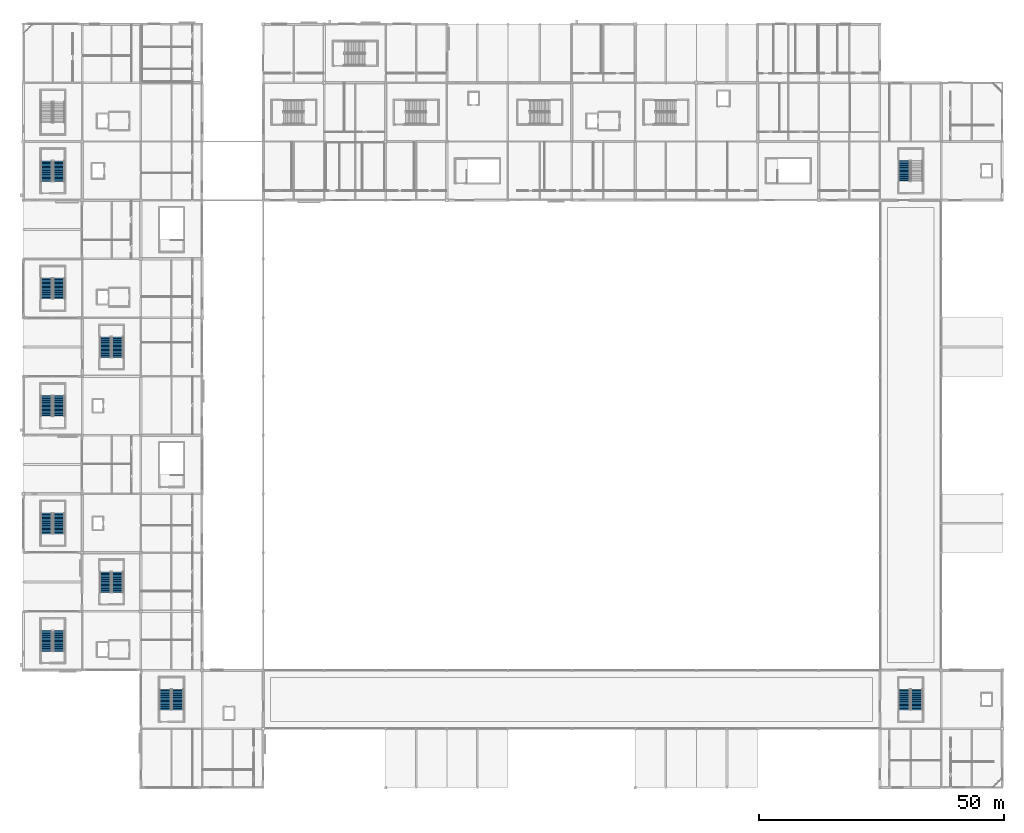
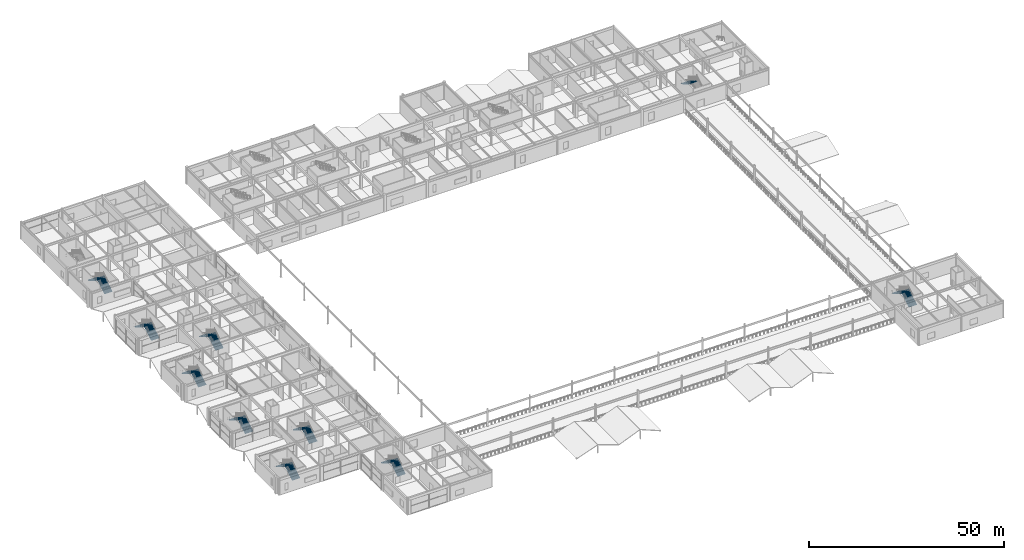
# One storey, part 85 of 105: 19 stair flights, 10 elements without a shape of their own.
"""IFC4 building model written with IfcOpenShell, lengths in metres."""

from ifc_helpers import new_model, si_unit, direction, frame, origin, place, context, subcontext, project, spatial, polyline, outline, extrude, material, type_object, element, aggregate, save


model = new_model("IFC4")

# Units and contexts
model_context = context("Model", 3, precision=1e-05, world=origin(), true_north=direction((0.0, 1.0)))
body_context = subcontext(model_context, "Body", "Model", "MODEL_VIEW")
ifc_project = project(units=[si_unit("LENGTHUNIT", "METRE"), si_unit("AREAUNIT", "SQUARE_METRE"), si_unit("VOLUMEUNIT", "CUBIC_METRE"), si_unit("PLANEANGLEUNIT", "RADIAN"), si_unit("MASSUNIT", "GRAM", prefix="KILO")], contexts=[model_context])

# Site, building, storey
site_placement = place(None, origin())
site = spatial("IfcSite", under=ifc_project, at=site_placement, CompositionType="ELEMENT")
building_placement = place(site_placement, origin())
building = spatial("IfcBuilding", under=site, at=building_placement, Name="Kazenohara Klinker Stadium", CompositionType="ELEMENT")
storey_placement = place(building_placement, frame((0.0, 0.0, 20.39990234375)))
storey = spatial("IfcBuildingStorey", under=building, at=storey_placement, Name="L04", CompositionType="ELEMENT", Elevation=20.39990234375)

# Stair, stair flights
ifc_material = material(Name="Concrete C40/50", Category="concrete")
stair_type_1 = type_object("IfcStairType", Name="STR-DL-2300", PredefinedType="HALF_TURN_STAIR", material=ifc_material)
stair_1_placement = place(storey_placement, origin())
stair_1 = element("IfcStair", 1, at=stair_1_placement, inside=storey, type_object=stair_type_1, Name="L04 Enclosed escape stair ST01", PredefinedType="HALF_TURN_STAIR")
stair_flight_type_1 = type_object("IfcStairFlightType", Name="FLT-DL-2300-5400", PredefinedType="STRAIGHT", material=ifc_material)
stair_flight_1_placement = place(storey_placement, frame((7.25, 39.840087890625, 0.0), z_axis=(0.0, 0.0, 1.0), x_axis=(0.0, 1.0, 0.0)))
stair_flight_1 = element("IfcStairFlight", 2, at=stair_flight_1_placement, type_object=stair_flight_type_1, Name="ST01 flight 1", NumberOfRisers=16, NumberOfTreads=15, PredefinedType="STRAIGHT", RiserHeight=0.16875, TreadLength=0.28, context=body_context, shape_type="SweptSolid", body=[
    extrude(outline(polyline([(0.0, 0.0), (0.0, 0.168701171875), (0.280029296875, 0.168701171875), (0.280029296875, 0.33740234375), (0.56005859375, 0.33740234375), (0.56005859375, 0.50634765625), (0.840087890625, 0.50634765625), (0.840087890625, 0.675048828125), (1.1201171875, 0.675048828125), (1.1201171875, 0.84375), (1.39990234375, 0.84375), (1.39990234375, 1.012451171875), (1.679931640625, 1.012451171875), (1.679931640625, 1.18115234375), (1.9599609375, 1.18115234375), (1.9599609375, 1.35009765625), (2.239990234375, 1.35009765625), (2.239990234375, 1.518798828125), (2.52001953125, 1.518798828125), (2.52001953125, 1.6875), (2.800048828125, 1.6875), (2.800048828125, 1.856201171875), (3.080078125, 1.856201171875), (3.080078125, 2.02490234375), (3.360107421875, 2.02490234375), (3.360107421875, 2.19384765625), (3.639892578125, 2.19384765625), (3.639892578125, 2.362548828125), (3.919921875, 2.362548828125), (3.919921875, 2.53125), (4.199951171875, 2.53125), (4.199951171875, 2.699951171875), (4.199951171875, 2.356201171875), (0.29052734375, 0.0), (0.0, 0.0)])), frame((0.0, 1.14990234375, 0.0), z_axis=(0.0, -1.0, 0.0), x_axis=(1.0, 0.0, 0.0)), (0.0, 0.0, 1.0), 2.300048828125),
])
stair_flight_2_placement = place(storey_placement, frame((4.75, 44.0400390625, 2.7001953125), z_axis=(0.0, 0.0, 1.0), x_axis=(0.0, -1.0, 0.0)))
stair_flight_2 = element("IfcStairFlight", 3, at=stair_flight_2_placement, type_object=stair_flight_type_1, Name="ST01 flight 2", NumberOfRisers=16, NumberOfTreads=15, PredefinedType="STRAIGHT", RiserHeight=0.16875, TreadLength=0.28, context=body_context, shape_type="SweptSolid", body=[
    extrude(outline(polyline([(0.0, 0.0), (0.0, 0.168701171875), (0.280029296875, 0.168701171875), (0.280029296875, 0.33740234375), (0.56005859375, 0.33740234375), (0.56005859375, 0.50634765625), (0.840087890625, 0.50634765625), (0.840087890625, 0.675048828125), (1.1201171875, 0.675048828125), (1.1201171875, 0.84375), (1.39990234375, 0.84375), (1.39990234375, 1.012451171875), (1.679931640625, 1.012451171875), (1.679931640625, 1.18115234375), (1.9599609375, 1.18115234375), (1.9599609375, 1.35009765625), (2.239990234375, 1.35009765625), (2.239990234375, 1.518798828125), (2.52001953125, 1.518798828125), (2.52001953125, 1.6875), (2.800048828125, 1.6875), (2.800048828125, 1.856201171875), (3.080078125, 1.856201171875), (3.080078125, 2.02490234375), (3.360107421875, 2.02490234375), (3.360107421875, 2.19384765625), (3.639892578125, 2.19384765625), (3.639892578125, 2.362548828125), (3.919921875, 2.362548828125), (3.919921875, 2.53125), (4.199951171875, 2.53125), (4.199951171875, 2.699951171875), (4.199951171875, 2.356201171875), (0.29052734375, 0.0), (0.0, 0.0)])), frame((0.0, 1.14990234375, 0.0), z_axis=(0.0, -1.0, 0.0), x_axis=(1.0, 0.0, 0.0)), (0.0, 0.0, 1.0), 2.300048828125),
])
aggregate(stair_1, [stair_flight_1, stair_flight_2])

stair_2_placement = place(storey_placement, origin())
stair_2 = element("IfcStair", 4, at=stair_2_placement, inside=storey, type_object=stair_type_1, Name="L04 Enclosed escape stair ST05", PredefinedType="HALF_TURN_STAIR")
stair_flight_3_placement = place(storey_placement, frame((7.25, 135.840087890625, 0.0), z_axis=(0.0, 0.0, 1.0), x_axis=(0.0, 1.0, 0.0)))
stair_flight_3 = element("IfcStairFlight", 5, at=stair_flight_3_placement, type_object=stair_flight_type_1, Name="ST05 flight 1", NumberOfRisers=16, NumberOfTreads=15, PredefinedType="STRAIGHT", RiserHeight=0.16875, TreadLength=0.28, context=body_context, shape_type="SweptSolid", body=[
    extrude(outline(polyline([(0.0, 0.0), (0.0, 0.168701171875), (0.280029296875, 0.168701171875), (0.280029296875, 0.33740234375), (0.56005859375, 0.33740234375), (0.56005859375, 0.50634765625), (0.840087890625, 0.50634765625), (0.840087890625, 0.675048828125), (1.1201171875, 0.675048828125), (1.1201171875, 0.84375), (1.39990234375, 0.84375), (1.39990234375, 1.012451171875), (1.679931640625, 1.012451171875), (1.679931640625, 1.18115234375), (1.9599609375, 1.18115234375), (1.9599609375, 1.35009765625), (2.239990234375, 1.35009765625), (2.239990234375, 1.518798828125), (2.52001953125, 1.518798828125), (2.52001953125, 1.6875), (2.800048828125, 1.6875), (2.800048828125, 1.856201171875), (3.080078125, 1.856201171875), (3.080078125, 2.02490234375), (3.360107421875, 2.02490234375), (3.360107421875, 2.19384765625), (3.639892578125, 2.19384765625), (3.639892578125, 2.362548828125), (3.919921875, 2.362548828125), (3.919921875, 2.53125), (4.199951171875, 2.53125), (4.199951171875, 2.699951171875), (4.199951171875, 2.356201171875), (0.29052734375, 0.0), (0.0, 0.0)])), frame((0.0, 1.14990234375, 0.0), z_axis=(0.0, -1.0, 0.0), x_axis=(1.0, 0.0, 0.0)), (0.0, 0.0, 1.0), 2.300048828125),
])
stair_flight_4_placement = place(storey_placement, frame((4.75, 140.0400390625, 2.7001953125), z_axis=(0.0, 0.0, 1.0), x_axis=(0.0, -1.0, 0.0)))
stair_flight_4 = element("IfcStairFlight", 6, at=stair_flight_4_placement, type_object=stair_flight_type_1, Name="ST05 flight 2", NumberOfRisers=16, NumberOfTreads=15, PredefinedType="STRAIGHT", RiserHeight=0.16875, TreadLength=0.28, context=body_context, shape_type="SweptSolid", body=[
    extrude(outline(polyline([(0.0, 0.0), (0.0, 0.168701171875), (0.280029296875, 0.168701171875), (0.280029296875, 0.33740234375), (0.56005859375, 0.33740234375), (0.56005859375, 0.50634765625), (0.840087890625, 0.50634765625), (0.840087890625, 0.675048828125), (1.1201171875, 0.675048828125), (1.1201171875, 0.84375), (1.39990234375, 0.84375), (1.39990234375, 1.012451171875), (1.679931640625, 1.012451171875), (1.679931640625, 1.18115234375), (1.9599609375, 1.18115234375), (1.9599609375, 1.35009765625), (2.239990234375, 1.35009765625), (2.239990234375, 1.518798828125), (2.52001953125, 1.518798828125), (2.52001953125, 1.6875), (2.800048828125, 1.6875), (2.800048828125, 1.856201171875), (3.080078125, 1.856201171875), (3.080078125, 2.02490234375), (3.360107421875, 2.02490234375), (3.360107421875, 2.19384765625), (3.639892578125, 2.19384765625), (3.639892578125, 2.362548828125), (3.919921875, 2.362548828125), (3.919921875, 2.53125), (4.199951171875, 2.53125), (4.199951171875, 2.699951171875), (4.199951171875, 2.356201171875), (0.29052734375, 0.0), (0.0, 0.0)])), frame((0.0, 1.14990234375, 0.0), z_axis=(0.0, -1.0, 0.0), x_axis=(1.0, 0.0, 0.0)), (0.0, 0.0, 1.0), 2.300048828125),
])
aggregate(stair_2, [stair_flight_3, stair_flight_4])

stair_3_placement = place(storey_placement, origin())
stair_3 = element("IfcStair", 7, at=stair_3_placement, inside=storey, type_object=stair_type_1, Name="L04 Enclosed escape stair ST13", PredefinedType="HALF_TURN_STAIR")
stair_flight_5_placement = place(storey_placement, frame((19.25, 51.840087890625, 0.0), z_axis=(0.0, 0.0, 1.0), x_axis=(0.0, 1.0, 0.0)))
stair_flight_5 = element("IfcStairFlight", 8, at=stair_flight_5_placement, type_object=stair_flight_type_1, Name="ST13 flight 1", NumberOfRisers=16, NumberOfTreads=15, PredefinedType="STRAIGHT", RiserHeight=0.16875, TreadLength=0.28, context=body_context, shape_type="SweptSolid", body=[
    extrude(outline(polyline([(0.0, 0.0), (0.0, 0.168701171875), (0.280029296875, 0.168701171875), (0.280029296875, 0.33740234375), (0.56005859375, 0.33740234375), (0.56005859375, 0.50634765625), (0.840087890625, 0.50634765625), (0.840087890625, 0.675048828125), (1.1201171875, 0.675048828125), (1.1201171875, 0.84375), (1.39990234375, 0.84375), (1.39990234375, 1.012451171875), (1.679931640625, 1.012451171875), (1.679931640625, 1.18115234375), (1.9599609375, 1.18115234375), (1.9599609375, 1.35009765625), (2.239990234375, 1.35009765625), (2.239990234375, 1.518798828125), (2.52001953125, 1.518798828125), (2.52001953125, 1.6875), (2.800048828125, 1.6875), (2.800048828125, 1.856201171875), (3.080078125, 1.856201171875), (3.080078125, 2.02490234375), (3.360107421875, 2.02490234375), (3.360107421875, 2.19384765625), (3.639892578125, 2.19384765625), (3.639892578125, 2.362548828125), (3.919921875, 2.362548828125), (3.919921875, 2.53125), (4.199951171875, 2.53125), (4.199951171875, 2.699951171875), (4.199951171875, 2.356201171875), (0.29052734375, 0.0), (0.0, 0.0)])), frame((0.0, 1.14990234375, 0.0), z_axis=(0.0, -1.0, 0.0), x_axis=(1.0, 0.0, 0.0)), (0.0, 0.0, 1.0), 2.300048828125),
])
stair_flight_6_placement = place(storey_placement, frame((16.75, 56.0400390625, 2.7001953125), z_axis=(0.0, 0.0, 1.0), x_axis=(0.0, -1.0, 0.0)))
stair_flight_6 = element("IfcStairFlight", 9, at=stair_flight_6_placement, type_object=stair_flight_type_1, Name="ST13 flight 2", NumberOfRisers=16, NumberOfTreads=15, PredefinedType="STRAIGHT", RiserHeight=0.16875, TreadLength=0.28, context=body_context, shape_type="SweptSolid", body=[
    extrude(outline(polyline([(0.0, 0.0), (0.0, 0.168701171875), (0.280029296875, 0.168701171875), (0.280029296875, 0.33740234375), (0.56005859375, 0.33740234375), (0.56005859375, 0.50634765625), (0.840087890625, 0.50634765625), (0.840087890625, 0.675048828125), (1.1201171875, 0.675048828125), (1.1201171875, 0.84375), (1.39990234375, 0.84375), (1.39990234375, 1.012451171875), (1.679931640625, 1.012451171875), (1.679931640625, 1.18115234375), (1.9599609375, 1.18115234375), (1.9599609375, 1.35009765625), (2.239990234375, 1.35009765625), (2.239990234375, 1.518798828125), (2.52001953125, 1.518798828125), (2.52001953125, 1.6875), (2.800048828125, 1.6875), (2.800048828125, 1.856201171875), (3.080078125, 1.856201171875), (3.080078125, 2.02490234375), (3.360107421875, 2.02490234375), (3.360107421875, 2.19384765625), (3.639892578125, 2.19384765625), (3.639892578125, 2.362548828125), (3.919921875, 2.362548828125), (3.919921875, 2.53125), (4.199951171875, 2.53125), (4.199951171875, 2.699951171875), (4.199951171875, 2.356201171875), (0.29052734375, 0.0), (0.0, 0.0)])), frame((0.0, 1.14990234375, 0.0), z_axis=(0.0, -1.0, 0.0), x_axis=(1.0, 0.0, 0.0)), (0.0, 0.0, 1.0), 2.300048828125),
])
aggregate(stair_3, [stair_flight_5, stair_flight_6])

stair_type_2 = type_object("IfcStairType", Name="STR-DL-2310", PredefinedType="HALF_TURN_STAIR", material=ifc_material)
stair_4_placement = place(storey_placement, origin())
stair_4 = element("IfcStair", 10, at=stair_4_placement, inside=storey, type_object=stair_type_2, Name="L04 Enclosed escape stair ST02", PredefinedType="HALF_TURN_STAIR")
stair_flight_type_2 = type_object("IfcStairFlightType", Name="FLT-DL-2310-5400", PredefinedType="STRAIGHT", material=ifc_material)
stair_flight_7_placement = place(storey_placement, frame((7.2548828125, 63.85009765625, 0.0), z_axis=(0.0, 0.0, 1.0), x_axis=(0.0, 1.0, 0.0)))
stair_flight_7 = element("IfcStairFlight", 11, at=stair_flight_7_placement, type_object=stair_flight_type_2, Name="ST02 flight 1", NumberOfRisers=16, NumberOfTreads=15, PredefinedType="STRAIGHT", RiserHeight=0.16875, TreadLength=0.28, context=body_context, shape_type="SweptSolid", body=[
    extrude(outline(polyline([(0.0, 0.0), (0.0, 0.168701171875), (0.280029296875, 0.168701171875), (0.280029296875, 0.33740234375), (0.56005859375, 0.33740234375), (0.56005859375, 0.50634765625), (0.840087890625, 0.50634765625), (0.840087890625, 0.675048828125), (1.1201171875, 0.675048828125), (1.1201171875, 0.84375), (1.39990234375, 0.84375), (1.39990234375, 1.012451171875), (1.679931640625, 1.012451171875), (1.679931640625, 1.18115234375), (1.9599609375, 1.18115234375), (1.9599609375, 1.35009765625), (2.239990234375, 1.35009765625), (2.239990234375, 1.518798828125), (2.52001953125, 1.518798828125), (2.52001953125, 1.6875), (2.800048828125, 1.6875), (2.800048828125, 1.856201171875), (3.080078125, 1.856201171875), (3.080078125, 2.02490234375), (3.360107421875, 2.02490234375), (3.360107421875, 2.19384765625), (3.639892578125, 2.19384765625), (3.639892578125, 2.362548828125), (3.919921875, 2.362548828125), (3.919921875, 2.53125), (4.199951171875, 2.53125), (4.199951171875, 2.699951171875), (4.199951171875, 2.356201171875), (0.29052734375, 0.0), (0.0, 0.0)])), frame((0.0, 1.155029296875, 0.0), z_axis=(0.0, -1.0, 0.0), x_axis=(1.0, 0.0, 0.0)), (0.0, 0.0, 1.0), 2.31005859375),
])
stair_flight_8_placement = place(storey_placement, frame((4.7451171875, 68.050048828125, 2.7001953125), z_axis=(0.0, 0.0, 1.0), x_axis=(0.0, -1.0, 0.0)))
stair_flight_8 = element("IfcStairFlight", 12, at=stair_flight_8_placement, type_object=stair_flight_type_2, Name="ST02 flight 2", NumberOfRisers=16, NumberOfTreads=15, PredefinedType="STRAIGHT", RiserHeight=0.16875, TreadLength=0.28, context=body_context, shape_type="SweptSolid", body=[
    extrude(outline(polyline([(0.0, 0.0), (0.0, 0.168701171875), (0.280029296875, 0.168701171875), (0.280029296875, 0.33740234375), (0.56005859375, 0.33740234375), (0.56005859375, 0.50634765625), (0.840087890625, 0.50634765625), (0.840087890625, 0.675048828125), (1.1201171875, 0.675048828125), (1.1201171875, 0.84375), (1.39990234375, 0.84375), (1.39990234375, 1.012451171875), (1.679931640625, 1.012451171875), (1.679931640625, 1.18115234375), (1.9599609375, 1.18115234375), (1.9599609375, 1.35009765625), (2.239990234375, 1.35009765625), (2.239990234375, 1.518798828125), (2.52001953125, 1.518798828125), (2.52001953125, 1.6875), (2.800048828125, 1.6875), (2.800048828125, 1.856201171875), (3.080078125, 1.856201171875), (3.080078125, 2.02490234375), (3.360107421875, 2.02490234375), (3.360107421875, 2.19384765625), (3.639892578125, 2.19384765625), (3.639892578125, 2.362548828125), (3.919921875, 2.362548828125), (3.919921875, 2.53125), (4.199951171875, 2.53125), (4.199951171875, 2.699951171875), (4.199951171875, 2.356201171875), (0.29052734375, 0.0), (0.0, 0.0)])), frame((0.0, 1.155029296875, 0.0), z_axis=(0.0, -1.0, 0.0), x_axis=(1.0, 0.0, 0.0)), (0.0, 0.0, 1.0), 2.31005859375),
])
aggregate(stair_4, [stair_flight_7, stair_flight_8])

stair_5_placement = place(storey_placement, origin())
stair_5 = element("IfcStair", 13, at=stair_5_placement, inside=storey, type_object=stair_type_2, Name="L04 Enclosed escape stair ST14", PredefinedType="HALF_TURN_STAIR")
stair_flight_9_placement = place(storey_placement, frame((19.2548828125, 99.85009765625, 0.0), z_axis=(0.0, 0.0, 1.0), x_axis=(0.0, 1.0, 0.0)))
stair_flight_9 = element("IfcStairFlight", 14, at=stair_flight_9_placement, type_object=stair_flight_type_2, Name="ST14 flight 1", NumberOfRisers=16, NumberOfTreads=15, PredefinedType="STRAIGHT", RiserHeight=0.16875, TreadLength=0.28, context=body_context, shape_type="SweptSolid", body=[
    extrude(outline(polyline([(0.0, 0.0), (0.0, 0.168701171875), (0.280029296875, 0.168701171875), (0.280029296875, 0.33740234375), (0.56005859375, 0.33740234375), (0.56005859375, 0.50634765625), (0.840087890625, 0.50634765625), (0.840087890625, 0.675048828125), (1.1201171875, 0.675048828125), (1.1201171875, 0.84375), (1.39990234375, 0.84375), (1.39990234375, 1.012451171875), (1.679931640625, 1.012451171875), (1.679931640625, 1.18115234375), (1.9599609375, 1.18115234375), (1.9599609375, 1.35009765625), (2.239990234375, 1.35009765625), (2.239990234375, 1.518798828125), (2.52001953125, 1.518798828125), (2.52001953125, 1.6875), (2.800048828125, 1.6875), (2.800048828125, 1.856201171875), (3.080078125, 1.856201171875), (3.080078125, 2.02490234375), (3.360107421875, 2.02490234375), (3.360107421875, 2.19384765625), (3.639892578125, 2.19384765625), (3.639892578125, 2.362548828125), (3.919921875, 2.362548828125), (3.919921875, 2.53125), (4.199951171875, 2.53125), (4.199951171875, 2.699951171875), (4.199951171875, 2.356201171875), (0.29052734375, 0.0), (0.0, 0.0)])), frame((0.0, 1.155029296875, 0.0), z_axis=(0.0, -1.0, 0.0), x_axis=(1.0, 0.0, 0.0)), (0.0, 0.0, 1.0), 2.31005859375),
])
stair_flight_10_placement = place(storey_placement, frame((16.7451171875, 104.050048828125, 2.7001953125), z_axis=(0.0, 0.0, 1.0), x_axis=(0.0, -1.0, 0.0)))
stair_flight_10 = element("IfcStairFlight", 15, at=stair_flight_10_placement, type_object=stair_flight_type_2, Name="ST14 flight 2", NumberOfRisers=16, NumberOfTreads=15, PredefinedType="STRAIGHT", RiserHeight=0.16875, TreadLength=0.28, context=body_context, shape_type="SweptSolid", body=[
    extrude(outline(polyline([(0.0, 0.0), (0.0, 0.168701171875), (0.280029296875, 0.168701171875), (0.280029296875, 0.33740234375), (0.56005859375, 0.33740234375), (0.56005859375, 0.50634765625), (0.840087890625, 0.50634765625), (0.840087890625, 0.675048828125), (1.1201171875, 0.675048828125), (1.1201171875, 0.84375), (1.39990234375, 0.84375), (1.39990234375, 1.012451171875), (1.679931640625, 1.012451171875), (1.679931640625, 1.18115234375), (1.9599609375, 1.18115234375), (1.9599609375, 1.35009765625), (2.239990234375, 1.35009765625), (2.239990234375, 1.518798828125), (2.52001953125, 1.518798828125), (2.52001953125, 1.6875), (2.800048828125, 1.6875), (2.800048828125, 1.856201171875), (3.080078125, 1.856201171875), (3.080078125, 2.02490234375), (3.360107421875, 2.02490234375), (3.360107421875, 2.19384765625), (3.639892578125, 2.19384765625), (3.639892578125, 2.362548828125), (3.919921875, 2.362548828125), (3.919921875, 2.53125), (4.199951171875, 2.53125), (4.199951171875, 2.699951171875), (4.199951171875, 2.356201171875), (0.29052734375, 0.0), (0.0, 0.0)])), frame((0.0, 1.155029296875, 0.0), z_axis=(0.0, -1.0, 0.0), x_axis=(1.0, 0.0, 0.0)), (0.0, 0.0, 1.0), 2.31005859375),
])
aggregate(stair_5, [stair_flight_9, stair_flight_10])

stair_type_3 = type_object("IfcStairType", Name="STR-DL-2330", PredefinedType="HALF_TURN_STAIR", material=ifc_material)
stair_6_placement = place(storey_placement, origin())
stair_6 = element("IfcStair", 16, at=stair_6_placement, inside=storey, type_object=stair_type_3, Name="L04 Enclosed escape stair ST03", PredefinedType="HALF_TURN_STAIR")
stair_flight_type_3 = type_object("IfcStairFlightType", Name="FLT-DL-2330-5400", PredefinedType="STRAIGHT", material=ifc_material)
stair_flight_11_placement = place(storey_placement, frame((7.264892578125, 87.8701171875, 0.0), z_axis=(0.0, 0.0, 1.0), x_axis=(0.0, 1.0, 0.0)))
stair_flight_11 = element("IfcStairFlight", 17, at=stair_flight_11_placement, type_object=stair_flight_type_3, Name="ST03 flight 1", NumberOfRisers=16, NumberOfTreads=15, PredefinedType="STRAIGHT", RiserHeight=0.16875, TreadLength=0.28, context=body_context, shape_type="SweptSolid", body=[
    extrude(outline(polyline([(0.0, 0.0), (0.0, 0.168701171875), (0.280029296875, 0.168701171875), (0.280029296875, 0.33740234375), (0.56005859375, 0.33740234375), (0.56005859375, 0.50634765625), (0.840087890625, 0.50634765625), (0.840087890625, 0.675048828125), (1.1201171875, 0.675048828125), (1.1201171875, 0.84375), (1.39990234375, 0.84375), (1.39990234375, 1.012451171875), (1.679931640625, 1.012451171875), (1.679931640625, 1.18115234375), (1.9599609375, 1.18115234375), (1.9599609375, 1.35009765625), (2.239990234375, 1.35009765625), (2.239990234375, 1.518798828125), (2.52001953125, 1.518798828125), (2.52001953125, 1.6875), (2.800048828125, 1.6875), (2.800048828125, 1.856201171875), (3.080078125, 1.856201171875), (3.080078125, 2.02490234375), (3.360107421875, 2.02490234375), (3.360107421875, 2.19384765625), (3.639892578125, 2.19384765625), (3.639892578125, 2.362548828125), (3.919921875, 2.362548828125), (3.919921875, 2.53125), (4.199951171875, 2.53125), (4.199951171875, 2.699951171875), (4.199951171875, 2.356201171875), (0.29052734375, 0.0), (0.0, 0.0)])), frame((0.0, 1.1650390625, 0.0), z_axis=(0.0, -1.0, 0.0), x_axis=(1.0, 0.0, 0.0)), (0.0, 0.0, 1.0), 2.330078125),
])
stair_flight_12_placement = place(storey_placement, frame((4.735107421875, 92.070068359375, 2.7001953125), z_axis=(0.0, 0.0, 1.0), x_axis=(0.0, -1.0, 0.0)))
stair_flight_12 = element("IfcStairFlight", 18, at=stair_flight_12_placement, type_object=stair_flight_type_3, Name="ST03 flight 2", NumberOfRisers=16, NumberOfTreads=15, PredefinedType="STRAIGHT", RiserHeight=0.16875, TreadLength=0.28, context=body_context, shape_type="SweptSolid", body=[
    extrude(outline(polyline([(0.0, 0.0), (0.0, 0.168701171875), (0.280029296875, 0.168701171875), (0.280029296875, 0.33740234375), (0.56005859375, 0.33740234375), (0.56005859375, 0.50634765625), (0.840087890625, 0.50634765625), (0.840087890625, 0.675048828125), (1.1201171875, 0.675048828125), (1.1201171875, 0.84375), (1.39990234375, 0.84375), (1.39990234375, 1.012451171875), (1.679931640625, 1.012451171875), (1.679931640625, 1.18115234375), (1.9599609375, 1.18115234375), (1.9599609375, 1.35009765625), (2.239990234375, 1.35009765625), (2.239990234375, 1.518798828125), (2.52001953125, 1.518798828125), (2.52001953125, 1.6875), (2.800048828125, 1.6875), (2.800048828125, 1.856201171875), (3.080078125, 1.856201171875), (3.080078125, 2.02490234375), (3.360107421875, 2.02490234375), (3.360107421875, 2.19384765625), (3.639892578125, 2.19384765625), (3.639892578125, 2.362548828125), (3.919921875, 2.362548828125), (3.919921875, 2.53125), (4.199951171875, 2.53125), (4.199951171875, 2.699951171875), (4.199951171875, 2.356201171875), (0.29052734375, 0.0), (0.0, 0.0)])), frame((0.0, 1.1650390625, 0.0), z_axis=(0.0, -1.0, 0.0), x_axis=(1.0, 0.0, 0.0)), (0.0, 0.0, 1.0), 2.330078125),
])
aggregate(stair_6, [stair_flight_11, stair_flight_12])

stair_7_placement = place(storey_placement, origin())
stair_7 = element("IfcStair", 19, at=stair_7_placement, inside=storey, type_object=stair_type_3, Name="L04 Enclosed escape stair ST07", PredefinedType="HALF_TURN_STAIR")
stair_flight_13_placement = place(storey_placement, frame((31.514892578125, 27.8701171875, 0.0), z_axis=(0.0, 0.0, 1.0), x_axis=(0.0, 1.0, 0.0)))
stair_flight_13 = element("IfcStairFlight", 20, at=stair_flight_13_placement, type_object=stair_flight_type_3, Name="ST07 flight 1", NumberOfRisers=16, NumberOfTreads=15, PredefinedType="STRAIGHT", RiserHeight=0.16875, TreadLength=0.28, context=body_context, shape_type="SweptSolid", body=[
    extrude(outline(polyline([(0.0, 0.0), (0.0, 0.168701171875), (0.280029296875, 0.168701171875), (0.280029296875, 0.33740234375), (0.56005859375, 0.33740234375), (0.56005859375, 0.50634765625), (0.840087890625, 0.50634765625), (0.840087890625, 0.675048828125), (1.1201171875, 0.675048828125), (1.1201171875, 0.84375), (1.39990234375, 0.84375), (1.39990234375, 1.012451171875), (1.679931640625, 1.012451171875), (1.679931640625, 1.18115234375), (1.9599609375, 1.18115234375), (1.9599609375, 1.35009765625), (2.239990234375, 1.35009765625), (2.239990234375, 1.518798828125), (2.52001953125, 1.518798828125), (2.52001953125, 1.6875), (2.800048828125, 1.6875), (2.800048828125, 1.856201171875), (3.080078125, 1.856201171875), (3.080078125, 2.02490234375), (3.360107421875, 2.02490234375), (3.360107421875, 2.19384765625), (3.639892578125, 2.19384765625), (3.639892578125, 2.362548828125), (3.919921875, 2.362548828125), (3.919921875, 2.53125), (4.199951171875, 2.53125), (4.199951171875, 2.699951171875), (4.199951171875, 2.356201171875), (0.29052734375, 0.0), (0.0, 0.0)])), frame((0.0, 1.1650390625, 0.0), z_axis=(0.0, -1.0, 0.0), x_axis=(1.0, 0.0, 0.0)), (0.0, 0.0, 1.0), 2.330078125),
])
stair_flight_14_placement = place(storey_placement, frame((28.985107421875, 32.070068359375, 2.7001953125), z_axis=(0.0, 0.0, 1.0), x_axis=(0.0, -1.0, 0.0)))
stair_flight_14 = element("IfcStairFlight", 21, at=stair_flight_14_placement, type_object=stair_flight_type_3, Name="ST07 flight 2", NumberOfRisers=16, NumberOfTreads=15, PredefinedType="STRAIGHT", RiserHeight=0.16875, TreadLength=0.28, context=body_context, shape_type="SweptSolid", body=[
    extrude(outline(polyline([(0.0, 0.0), (0.0, 0.168701171875), (0.280029296875, 0.168701171875), (0.280029296875, 0.33740234375), (0.56005859375, 0.33740234375), (0.56005859375, 0.50634765625), (0.840087890625, 0.50634765625), (0.840087890625, 0.675048828125), (1.1201171875, 0.675048828125), (1.1201171875, 0.84375), (1.39990234375, 0.84375), (1.39990234375, 1.012451171875), (1.679931640625, 1.012451171875), (1.679931640625, 1.18115234375), (1.9599609375, 1.18115234375), (1.9599609375, 1.35009765625), (2.239990234375, 1.35009765625), (2.239990234375, 1.518798828125), (2.52001953125, 1.518798828125), (2.52001953125, 1.6875), (2.800048828125, 1.6875), (2.800048828125, 1.856201171875), (3.080078125, 1.856201171875), (3.080078125, 2.02490234375), (3.360107421875, 2.02490234375), (3.360107421875, 2.19384765625), (3.639892578125, 2.19384765625), (3.639892578125, 2.362548828125), (3.919921875, 2.362548828125), (3.919921875, 2.53125), (4.199951171875, 2.53125), (4.199951171875, 2.699951171875), (4.199951171875, 2.356201171875), (0.29052734375, 0.0), (0.0, 0.0)])), frame((0.0, 1.1650390625, 0.0), z_axis=(0.0, -1.0, 0.0), x_axis=(1.0, 0.0, 0.0)), (0.0, 0.0, 1.0), 2.330078125),
])
aggregate(stair_7, [stair_flight_13, stair_flight_14])

stair_type_4 = type_object("IfcStairType", Name="STR-DL-2340", PredefinedType="HALF_TURN_STAIR", material=ifc_material)
stair_8_placement = place(storey_placement, origin())
stair_8 = element("IfcStair", 22, at=stair_8_placement, inside=storey, type_object=stair_type_4, Name="L04 Enclosed escape stair ST04", PredefinedType="HALF_TURN_STAIR")
stair_flight_type_4 = type_object("IfcStairFlightType", Name="FLT-DL-2340-5400", PredefinedType="STRAIGHT", material=ifc_material)
stair_flight_15_placement = place(storey_placement, frame((7.27001953125, 111.8798828125, 0.0), z_axis=(0.0, 0.0, 1.0), x_axis=(0.0, 1.0, 0.0)))
stair_flight_15 = element("IfcStairFlight", 23, at=stair_flight_15_placement, type_object=stair_flight_type_4, Name="ST04 flight 1", NumberOfRisers=16, NumberOfTreads=15, PredefinedType="STRAIGHT", RiserHeight=0.16875, TreadLength=0.28, context=body_context, shape_type="SweptSolid", body=[
    extrude(outline(polyline([(0.0, 0.0), (0.0, 0.168701171875), (0.280029296875, 0.168701171875), (0.280029296875, 0.33740234375), (0.56005859375, 0.33740234375), (0.56005859375, 0.50634765625), (0.840087890625, 0.50634765625), (0.840087890625, 0.675048828125), (1.1201171875, 0.675048828125), (1.1201171875, 0.84375), (1.39990234375, 0.84375), (1.39990234375, 1.012451171875), (1.679931640625, 1.012451171875), (1.679931640625, 1.18115234375), (1.9599609375, 1.18115234375), (1.9599609375, 1.35009765625), (2.239990234375, 1.35009765625), (2.239990234375, 1.518798828125), (2.52001953125, 1.518798828125), (2.52001953125, 1.6875), (2.800048828125, 1.6875), (2.800048828125, 1.856201171875), (3.080078125, 1.856201171875), (3.080078125, 2.02490234375), (3.360107421875, 2.02490234375), (3.360107421875, 2.19384765625), (3.639892578125, 2.19384765625), (3.639892578125, 2.362548828125), (3.919921875, 2.362548828125), (3.919921875, 2.53125), (4.199951171875, 2.53125), (4.199951171875, 2.699951171875), (4.199951171875, 2.356201171875), (0.29052734375, 0.0), (0.0, 0.0)])), frame((0.0, 1.169921875, 0.0), z_axis=(0.0, -1.0, 0.0), x_axis=(1.0, 0.0, 0.0)), (0.0, 0.0, 1.0), 2.340087890625),
])
stair_flight_16_placement = place(storey_placement, frame((4.72998046875, 116.080078125, 2.7001953125), z_axis=(0.0, 0.0, 1.0), x_axis=(0.0, -1.0, 0.0)))
stair_flight_16 = element("IfcStairFlight", 24, at=stair_flight_16_placement, type_object=stair_flight_type_4, Name="ST04 flight 2", NumberOfRisers=16, NumberOfTreads=15, PredefinedType="STRAIGHT", RiserHeight=0.16875, TreadLength=0.28, context=body_context, shape_type="SweptSolid", body=[
    extrude(outline(polyline([(0.0, 0.0), (0.0, 0.168701171875), (0.280029296875, 0.168701171875), (0.280029296875, 0.33740234375), (0.56005859375, 0.33740234375), (0.56005859375, 0.50634765625), (0.840087890625, 0.50634765625), (0.840087890625, 0.675048828125), (1.1201171875, 0.675048828125), (1.1201171875, 0.84375), (1.39990234375, 0.84375), (1.39990234375, 1.012451171875), (1.679931640625, 1.012451171875), (1.679931640625, 1.18115234375), (1.9599609375, 1.18115234375), (1.9599609375, 1.35009765625), (2.239990234375, 1.35009765625), (2.239990234375, 1.518798828125), (2.52001953125, 1.518798828125), (2.52001953125, 1.6875), (2.800048828125, 1.6875), (2.800048828125, 1.856201171875), (3.080078125, 1.856201171875), (3.080078125, 2.02490234375), (3.360107421875, 2.02490234375), (3.360107421875, 2.19384765625), (3.639892578125, 2.19384765625), (3.639892578125, 2.362548828125), (3.919921875, 2.362548828125), (3.919921875, 2.53125), (4.199951171875, 2.53125), (4.199951171875, 2.699951171875), (4.199951171875, 2.356201171875), (0.29052734375, 0.0), (0.0, 0.0)])), frame((0.0, 1.169921875, 0.0), z_axis=(0.0, -1.0, 0.0), x_axis=(1.0, 0.0, 0.0)), (0.0, 0.0, 1.0), 2.340087890625),
])
aggregate(stair_8, [stair_flight_15, stair_flight_16])

# Stair, stair flight
stair_9_placement = place(storey_placement, origin())
stair_9 = element("IfcStair", 25, at=stair_9_placement, inside=storey, type_object=stair_type_4, Name="L04 Enclosed escape stair ST12", PredefinedType="HALF_TURN_STAIR")
stair_flight_17_placement = place(storey_placement, frame((179.97998046875, 140.080078125, 2.7001953125), z_axis=(0.0, 0.0, 1.0), x_axis=(0.0, -1.0, 0.0)))
stair_flight_17 = element("IfcStairFlight", 26, at=stair_flight_17_placement, type_object=stair_flight_type_4, Name="ST12 flight 2", NumberOfRisers=16, NumberOfTreads=15, PredefinedType="STRAIGHT", RiserHeight=0.16875, TreadLength=0.28, context=body_context, shape_type="SweptSolid", body=[
    extrude(outline(polyline([(0.0, 0.0), (0.0, 0.168701171875), (0.280029296875, 0.168701171875), (0.280029296875, 0.33740234375), (0.56005859375, 0.33740234375), (0.56005859375, 0.50634765625), (0.840087890625, 0.50634765625), (0.840087890625, 0.675048828125), (1.1201171875, 0.675048828125), (1.1201171875, 0.84375), (1.39990234375, 0.84375), (1.39990234375, 1.012451171875), (1.679931640625, 1.012451171875), (1.679931640625, 1.18115234375), (1.9599609375, 1.18115234375), (1.9599609375, 1.35009765625), (2.239990234375, 1.35009765625), (2.239990234375, 1.518798828125), (2.52001953125, 1.518798828125), (2.52001953125, 1.6875), (2.800048828125, 1.6875), (2.800048828125, 1.856201171875), (3.080078125, 1.856201171875), (3.080078125, 2.02490234375), (3.360107421875, 2.02490234375), (3.360107421875, 2.19384765625), (3.639892578125, 2.19384765625), (3.639892578125, 2.362548828125), (3.919921875, 2.362548828125), (3.919921875, 2.53125), (4.199951171875, 2.53125), (4.199951171875, 2.699951171875), (4.199951171875, 2.356201171875), (0.29052734375, 0.0), (0.0, 0.0)])), frame((0.0, 1.169921875, 0.0), z_axis=(0.0, -1.0, 0.0), x_axis=(1.0, 0.0, 0.0)), (0.0, 0.0, 1.0), 2.340087890625),
])
aggregate(stair_9, [stair_flight_17])

# Stair, stair flights
stair_10_placement = place(storey_placement, origin())
stair_10 = element("IfcStair", 27, at=stair_10_placement, inside=storey, type_object=stair_type_4, Name="L04 Enclosed escape stair ST16", PredefinedType="HALF_TURN_STAIR")
stair_flight_18_placement = place(storey_placement, frame((182.52001953125, 27.8798828125, 0.0), z_axis=(0.0, 0.0, 1.0), x_axis=(0.0, 1.0, 0.0)))
stair_flight_18 = element("IfcStairFlight", 28, at=stair_flight_18_placement, type_object=stair_flight_type_4, Name="ST16 flight 1", NumberOfRisers=16, NumberOfTreads=15, PredefinedType="STRAIGHT", RiserHeight=0.16875, TreadLength=0.28, context=body_context, shape_type="SweptSolid", body=[
    extrude(outline(polyline([(0.0, 0.0), (0.0, 0.168701171875), (0.280029296875, 0.168701171875), (0.280029296875, 0.33740234375), (0.56005859375, 0.33740234375), (0.56005859375, 0.50634765625), (0.840087890625, 0.50634765625), (0.840087890625, 0.675048828125), (1.1201171875, 0.675048828125), (1.1201171875, 0.84375), (1.39990234375, 0.84375), (1.39990234375, 1.012451171875), (1.679931640625, 1.012451171875), (1.679931640625, 1.18115234375), (1.9599609375, 1.18115234375), (1.9599609375, 1.35009765625), (2.239990234375, 1.35009765625), (2.239990234375, 1.518798828125), (2.52001953125, 1.518798828125), (2.52001953125, 1.6875), (2.800048828125, 1.6875), (2.800048828125, 1.856201171875), (3.080078125, 1.856201171875), (3.080078125, 2.02490234375), (3.360107421875, 2.02490234375), (3.360107421875, 2.19384765625), (3.639892578125, 2.19384765625), (3.639892578125, 2.362548828125), (3.919921875, 2.362548828125), (3.919921875, 2.53125), (4.199951171875, 2.53125), (4.199951171875, 2.699951171875), (4.199951171875, 2.356201171875), (0.29052734375, 0.0), (0.0, 0.0)])), frame((0.0, 1.169921875, 0.0), z_axis=(0.0, -1.0, 0.0), x_axis=(1.0, 0.0, 0.0)), (0.0, 0.0, 1.0), 2.340087890625),
])
stair_flight_19_placement = place(storey_placement, frame((179.97998046875, 32.080078125, 2.7001953125), z_axis=(0.0, 0.0, 1.0), x_axis=(0.0, -1.0, 0.0)))
stair_flight_19 = element("IfcStairFlight", 29, at=stair_flight_19_placement, type_object=stair_flight_type_4, Name="ST16 flight 2", NumberOfRisers=16, NumberOfTreads=15, PredefinedType="STRAIGHT", RiserHeight=0.16875, TreadLength=0.28, context=body_context, shape_type="SweptSolid", body=[
    extrude(outline(polyline([(0.0, 0.0), (0.0, 0.168701171875), (0.280029296875, 0.168701171875), (0.280029296875, 0.33740234375), (0.56005859375, 0.33740234375), (0.56005859375, 0.50634765625), (0.840087890625, 0.50634765625), (0.840087890625, 0.675048828125), (1.1201171875, 0.675048828125), (1.1201171875, 0.84375), (1.39990234375, 0.84375), (1.39990234375, 1.012451171875), (1.679931640625, 1.012451171875), (1.679931640625, 1.18115234375), (1.9599609375, 1.18115234375), (1.9599609375, 1.35009765625), (2.239990234375, 1.35009765625), (2.239990234375, 1.518798828125), (2.52001953125, 1.518798828125), (2.52001953125, 1.6875), (2.800048828125, 1.6875), (2.800048828125, 1.856201171875), (3.080078125, 1.856201171875), (3.080078125, 2.02490234375), (3.360107421875, 2.02490234375), (3.360107421875, 2.19384765625), (3.639892578125, 2.19384765625), (3.639892578125, 2.362548828125), (3.919921875, 2.362548828125), (3.919921875, 2.53125), (4.199951171875, 2.53125), (4.199951171875, 2.699951171875), (4.199951171875, 2.356201171875), (0.29052734375, 0.0), (0.0, 0.0)])), frame((0.0, 1.169921875, 0.0), z_axis=(0.0, -1.0, 0.0), x_axis=(1.0, 0.0, 0.0)), (0.0, 0.0, 1.0), 2.340087890625),
])
aggregate(stair_10, [stair_flight_18, stair_flight_19])

save(model, "model.ifc")
